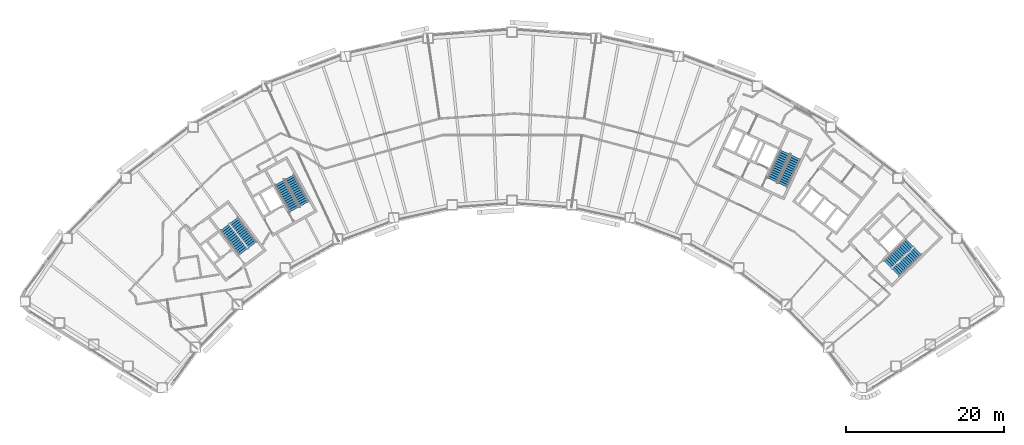
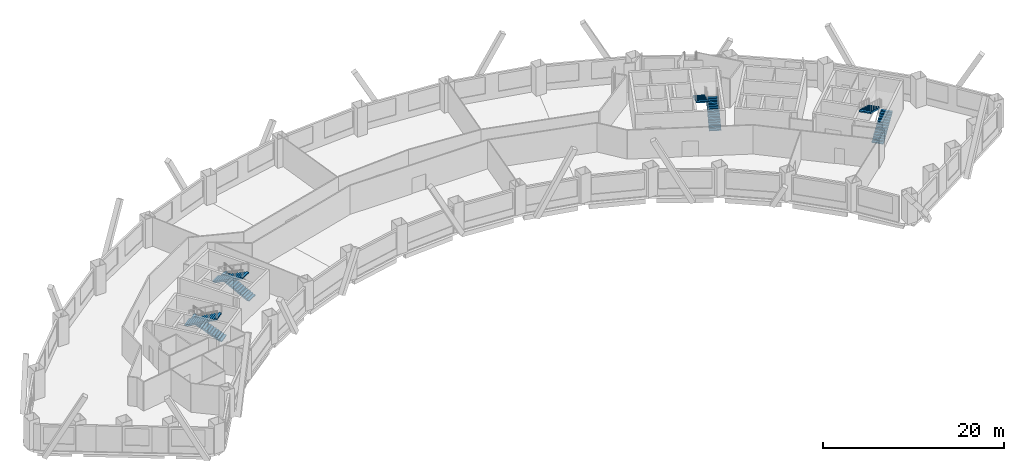
# One storey, part 9 of 11: 8 stair flights, 4 elements without a shape of their own.
"""IFC4 building model written with IfcOpenShell, lengths in metres."""

from ifc_helpers import new_model, si_unit, direction, frame, origin, place, context, subcontext, project, spatial, polyline, outline, extrude, material, type_object, element, aggregate, save


model = new_model("IFC4")

# Units and contexts
model_context = context("Model", 3, precision=1e-05, world=origin(), true_north=direction((0.0, 1.0)))
body_context = subcontext(model_context, "Body", "Model", "MODEL_VIEW")
ifc_project = project(units=[si_unit("LENGTHUNIT", "METRE"), si_unit("AREAUNIT", "SQUARE_METRE"), si_unit("VOLUMEUNIT", "CUBIC_METRE"), si_unit("PLANEANGLEUNIT", "RADIAN"), si_unit("MASSUNIT", "GRAM", prefix="KILO")], contexts=[model_context])

# Site, building, storey
site_placement = place(None, origin())
site = spatial("IfcSite", under=ifc_project, at=site_placement, CompositionType="ELEMENT")
building_placement = place(site_placement, origin())
building = spatial("IfcBuilding", under=site, at=building_placement, Name="Tuul Gate Civic Tower", CompositionType="ELEMENT")
storey_placement = place(building_placement, frame((0.0, 0.0, 48.300048828125)))
storey = spatial("IfcBuildingStorey", under=building, at=storey_placement, Name="Level 10", CompositionType="ELEMENT", Elevation=48.300048828125)

# Stair, stair flights
ifc_material_1 = material(Name="Concrete C40/50", Category="concrete")
stair_type = type_object("IfcStairType", Name="Exit stair", PredefinedType="HALF_TURN_STAIR", material=ifc_material_1)
stair_1_placement = place(storey_placement, origin())
stair_1 = element("IfcStair", 1, at=stair_1_placement, inside=storey, type_object=stair_type, Name="Level 10 ST-1", PredefinedType="HALF_TURN_STAIR")
ifc_material_2 = material(Name="Concrete C40/50", Category="concrete")
stair_flight_type = type_object("IfcStairFlightType", Name="Exit stair flight", PredefinedType="STRAIGHT", material=ifc_material_2)
stair_flight_1_placement = place(storey_placement, frame((-32.875244140625, -13.066650390625, 0.0), z_axis=(0.0, 0.0, 1.0), x_axis=(-0.605764474941, 0.795644016442, 0.0)))
stair_flight_1 = element("IfcStairFlight", 2, at=stair_flight_1_placement, type_object=stair_flight_type, Name="ST-1 flight 1", NumberOfRisers=14, NumberOfTreads=13, PredefinedType="STRAIGHT", RiserHeight=0.15, TreadLength=0.3, context=body_context, shape_type="SweptSolid", body=[
    extrude(outline(polyline([(0.0, 0.0), (0.0, 0.14990234375), (0.300048828125, 0.14990234375), (0.300048828125, 0.300048828125), (0.60009765625, 0.300048828125), (0.60009765625, 0.449951171875), (0.89990234375, 0.449951171875), (0.89990234375, 0.60009765625), (1.199951171875, 0.60009765625), (1.199951171875, 0.75), (1.5, 0.75), (1.5, 0.89990234375), (1.800048828125, 0.89990234375), (1.800048828125, 1.050048828125), (2.10009765625, 1.050048828125), (2.10009765625, 1.199951171875), (2.39990234375, 1.199951171875), (2.39990234375, 1.35009765625), (2.699951171875, 1.35009765625), (2.699951171875, 1.5), (3.0, 1.5), (3.0, 1.64990234375), (3.300048828125, 1.64990234375), (3.300048828125, 1.800048828125), (3.60009765625, 1.800048828125), (3.60009765625, 1.949951171875), (3.89990234375, 1.949951171875), (3.89990234375, 2.10009765625), (3.89990234375, 1.782470703125), (0.335205078125, 0.0), (0.0, 0.0)])), frame((0.0, 0.675048828125, 0.0), z_axis=(0.0, -1.0, 0.0), x_axis=(1.0, 0.0, 0.0)), (0.0, 0.0, 1.0), 1.35009765625),
])
stair_flight_2_placement = place(storey_placement, frame((-36.391357421875, -10.842041015625, 2.099853515625), z_axis=(0.0, 0.0, 1.0), x_axis=(0.605764474941, -0.795644016442, 0.0)))
stair_flight_2 = element("IfcStairFlight", 3, at=stair_flight_2_placement, type_object=stair_flight_type, Name="ST-1 flight 2", NumberOfRisers=14, NumberOfTreads=13, PredefinedType="STRAIGHT", RiserHeight=0.15, TreadLength=0.3, context=body_context, shape_type="SweptSolid", body=[
    extrude(outline(polyline([(0.0, 0.0), (0.0, 0.14990234375), (0.300048828125, 0.14990234375), (0.300048828125, 0.300048828125), (0.60009765625, 0.300048828125), (0.60009765625, 0.449951171875), (0.89990234375, 0.449951171875), (0.89990234375, 0.60009765625), (1.199951171875, 0.60009765625), (1.199951171875, 0.75), (1.5, 0.75), (1.5, 0.89990234375), (1.800048828125, 0.89990234375), (1.800048828125, 1.050048828125), (2.10009765625, 1.050048828125), (2.10009765625, 1.199951171875), (2.39990234375, 1.199951171875), (2.39990234375, 1.35009765625), (2.699951171875, 1.35009765625), (2.699951171875, 1.5), (3.0, 1.5), (3.0, 1.64990234375), (3.300048828125, 1.64990234375), (3.300048828125, 1.800048828125), (3.60009765625, 1.800048828125), (3.60009765625, 1.949951171875), (3.89990234375, 1.949951171875), (3.89990234375, 2.10009765625), (3.89990234375, 1.782470703125), (0.335205078125, 0.0), (0.0, 0.0)])), frame((0.0, 0.675048828125, 0.0), z_axis=(0.0, -1.0, 0.0), x_axis=(1.0, 0.0, 0.0)), (0.0, 0.0, 1.0), 1.35009765625),
])
aggregate(stair_1, [stair_flight_1, stair_flight_2])

stair_2_placement = place(storey_placement, origin())
stair_2 = element("IfcStair", 4, at=stair_2_placement, inside=storey, type_object=stair_type, Name="Level 10 ST-2", PredefinedType="HALF_TURN_STAIR")
stair_flight_3_placement = place(storey_placement, frame((-26.29150390625, -7.87646484375, 0.0), z_axis=(0.0, 0.0, 1.0), x_axis=(-0.484761763766, 0.874646232708, 0.0)))
stair_flight_3 = element("IfcStairFlight", 5, at=stair_flight_3_placement, type_object=stair_flight_type, Name="ST-2 flight 1", NumberOfRisers=14, NumberOfTreads=13, PredefinedType="STRAIGHT", RiserHeight=0.15, TreadLength=0.3, context=body_context, shape_type="SweptSolid", body=[
    extrude(outline(polyline([(0.0, 0.0), (0.0, 0.14990234375), (0.300048828125, 0.14990234375), (0.300048828125, 0.300048828125), (0.60009765625, 0.300048828125), (0.60009765625, 0.449951171875), (0.89990234375, 0.449951171875), (0.89990234375, 0.60009765625), (1.199951171875, 0.60009765625), (1.199951171875, 0.75), (1.5, 0.75), (1.5, 0.89990234375), (1.800048828125, 0.89990234375), (1.800048828125, 1.050048828125), (2.10009765625, 1.050048828125), (2.10009765625, 1.199951171875), (2.39990234375, 1.199951171875), (2.39990234375, 1.35009765625), (2.699951171875, 1.35009765625), (2.699951171875, 1.5), (3.0, 1.5), (3.0, 1.64990234375), (3.300048828125, 1.64990234375), (3.300048828125, 1.800048828125), (3.60009765625, 1.800048828125), (3.60009765625, 1.949951171875), (3.89990234375, 1.949951171875), (3.89990234375, 2.10009765625), (3.89990234375, 1.782470703125), (0.335205078125, 0.0), (0.0, 0.0)])), frame((0.0, 0.675048828125, 0.0), z_axis=(0.0, -1.0, 0.0), x_axis=(1.0, 0.0, 0.0)), (0.0, 0.0, 1.0), 1.35009765625),
])
stair_flight_4_placement = place(storey_placement, frame((-29.450439453125, -5.168212890625, 2.099853515625), z_axis=(0.0, 0.0, 1.0), x_axis=(0.484761763766, -0.874646232708, 0.0)))
stair_flight_4 = element("IfcStairFlight", 6, at=stair_flight_4_placement, type_object=stair_flight_type, Name="ST-2 flight 2", NumberOfRisers=14, NumberOfTreads=13, PredefinedType="STRAIGHT", RiserHeight=0.15, TreadLength=0.3, context=body_context, shape_type="SweptSolid", body=[
    extrude(outline(polyline([(0.0, 0.0), (0.0, 0.14990234375), (0.300048828125, 0.14990234375), (0.300048828125, 0.300048828125), (0.60009765625, 0.300048828125), (0.60009765625, 0.449951171875), (0.89990234375, 0.449951171875), (0.89990234375, 0.60009765625), (1.199951171875, 0.60009765625), (1.199951171875, 0.75), (1.5, 0.75), (1.5, 0.89990234375), (1.800048828125, 0.89990234375), (1.800048828125, 1.050048828125), (2.10009765625, 1.050048828125), (2.10009765625, 1.199951171875), (2.39990234375, 1.199951171875), (2.39990234375, 1.35009765625), (2.699951171875, 1.35009765625), (2.699951171875, 1.5), (3.0, 1.5), (3.0, 1.64990234375), (3.300048828125, 1.64990234375), (3.300048828125, 1.800048828125), (3.60009765625, 1.800048828125), (3.60009765625, 1.949951171875), (3.89990234375, 1.949951171875), (3.89990234375, 2.10009765625), (3.89990234375, 1.782470703125), (0.335205078125, 0.0), (0.0, 0.0)])), frame((0.0, 0.675048828125, 0.0), z_axis=(0.0, -1.0, 0.0), x_axis=(1.0, 0.0, 0.0)), (0.0, 0.0, 1.0), 1.35009765625),
])
aggregate(stair_2, [stair_flight_3, stair_flight_4])

stair_3_placement = place(storey_placement, origin())
stair_3 = element("IfcStair", 7, at=stair_3_placement, inside=storey, type_object=stair_type, Name="Level 10 ST-3", PredefinedType="HALF_TURN_STAIR")
stair_flight_5_placement = place(storey_placement, frame((48.61376953125, -16.581787109375, 0.0), z_axis=(0.0, 0.0, 1.0), x_axis=(0.714127290059, 0.700015866672, 0.0)))
stair_flight_5 = element("IfcStairFlight", 8, at=stair_flight_5_placement, type_object=stair_flight_type, Name="ST-3 flight 1", NumberOfRisers=14, NumberOfTreads=13, PredefinedType="STRAIGHT", RiserHeight=0.15, TreadLength=0.3, context=body_context, shape_type="SweptSolid", body=[
    extrude(outline(polyline([(0.0, 0.0), (0.0, 0.14990234375), (0.300048828125, 0.14990234375), (0.300048828125, 0.300048828125), (0.60009765625, 0.300048828125), (0.60009765625, 0.449951171875), (0.89990234375, 0.449951171875), (0.89990234375, 0.60009765625), (1.199951171875, 0.60009765625), (1.199951171875, 0.75), (1.5, 0.75), (1.5, 0.89990234375), (1.800048828125, 0.89990234375), (1.800048828125, 1.050048828125), (2.10009765625, 1.050048828125), (2.10009765625, 1.199951171875), (2.39990234375, 1.199951171875), (2.39990234375, 1.35009765625), (2.699951171875, 1.35009765625), (2.699951171875, 1.5), (3.0, 1.5), (3.0, 1.64990234375), (3.300048828125, 1.64990234375), (3.300048828125, 1.800048828125), (3.60009765625, 1.800048828125), (3.60009765625, 1.949951171875), (3.89990234375, 1.949951171875), (3.89990234375, 2.10009765625), (3.89990234375, 1.782470703125), (0.335205078125, 0.0), (0.0, 0.0)])), frame((0.0, 0.675048828125, 0.0), z_axis=(0.0, -1.0, 0.0), x_axis=(1.0, 0.0, 0.0)), (0.0, 0.0, 1.0), 1.35009765625),
])
stair_flight_6_placement = place(storey_placement, frame((50.3837890625, -12.816162109375, 2.099853515625), z_axis=(0.0, 0.0, 1.0), x_axis=(-0.714127290059, -0.700015866672, 0.0)))
stair_flight_6 = element("IfcStairFlight", 9, at=stair_flight_6_placement, type_object=stair_flight_type, Name="ST-3 flight 2", NumberOfRisers=14, NumberOfTreads=13, PredefinedType="STRAIGHT", RiserHeight=0.15, TreadLength=0.3, context=body_context, shape_type="SweptSolid", body=[
    extrude(outline(polyline([(0.0, 0.0), (0.0, 0.14990234375), (0.300048828125, 0.14990234375), (0.300048828125, 0.300048828125), (0.60009765625, 0.300048828125), (0.60009765625, 0.449951171875), (0.89990234375, 0.449951171875), (0.89990234375, 0.60009765625), (1.199951171875, 0.60009765625), (1.199951171875, 0.75), (1.5, 0.75), (1.5, 0.89990234375), (1.800048828125, 0.89990234375), (1.800048828125, 1.050048828125), (2.10009765625, 1.050048828125), (2.10009765625, 1.199951171875), (2.39990234375, 1.199951171875), (2.39990234375, 1.35009765625), (2.699951171875, 1.35009765625), (2.699951171875, 1.5), (3.0, 1.5), (3.0, 1.64990234375), (3.300048828125, 1.64990234375), (3.300048828125, 1.800048828125), (3.60009765625, 1.800048828125), (3.60009765625, 1.949951171875), (3.89990234375, 1.949951171875), (3.89990234375, 2.10009765625), (3.89990234375, 1.782470703125), (0.335205078125, 0.0), (0.0, 0.0)])), frame((0.0, 0.675048828125, 0.0), z_axis=(0.0, -1.0, 0.0), x_axis=(1.0, 0.0, 0.0)), (0.0, 0.0, 1.0), 1.35009765625),
])
aggregate(stair_3, [stair_flight_5, stair_flight_6])

stair_4_placement = place(storey_placement, origin())
stair_4 = element("IfcStair", 10, at=stair_4_placement, inside=storey, type_object=stair_type, Name="Level 10 ST-4", PredefinedType="HALF_TURN_STAIR")
stair_flight_7_placement = place(storey_placement, frame((34.278564453125, -5.478515625, 0.0), z_axis=(0.0, 0.0, 1.0), x_axis=(0.422576295988, 0.906327354806, 0.0)))
stair_flight_7 = element("IfcStairFlight", 11, at=stair_flight_7_placement, type_object=stair_flight_type, Name="ST-4 flight 1", NumberOfRisers=14, NumberOfTreads=13, PredefinedType="STRAIGHT", RiserHeight=0.15, TreadLength=0.3, context=body_context, shape_type="SweptSolid", body=[
    extrude(outline(polyline([(0.0, 0.0), (0.0, 0.14990234375), (0.300048828125, 0.14990234375), (0.300048828125, 0.300048828125), (0.60009765625, 0.300048828125), (0.60009765625, 0.449951171875), (0.89990234375, 0.449951171875), (0.89990234375, 0.60009765625), (1.199951171875, 0.60009765625), (1.199951171875, 0.75), (1.5, 0.75), (1.5, 0.89990234375), (1.800048828125, 0.89990234375), (1.800048828125, 1.050048828125), (2.10009765625, 1.050048828125), (2.10009765625, 1.199951171875), (2.39990234375, 1.199951171875), (2.39990234375, 1.35009765625), (2.699951171875, 1.35009765625), (2.699951171875, 1.5), (3.0, 1.5), (3.0, 1.64990234375), (3.300048828125, 1.64990234375), (3.300048828125, 1.800048828125), (3.60009765625, 1.800048828125), (3.60009765625, 1.949951171875), (3.89990234375, 1.949951171875), (3.89990234375, 2.10009765625), (3.89990234375, 1.782470703125), (0.335205078125, 0.0), (0.0, 0.0)])), frame((0.0, 0.675048828125, 0.0), z_axis=(0.0, -1.0, 0.0), x_axis=(1.0, 0.0, 0.0)), (0.0, 0.0, 1.0), 1.35009765625),
])
stair_flight_8_placement = place(storey_placement, frame((34.612548828125, -1.3310546875, 2.099853515625), z_axis=(0.0, 0.0, 1.0), x_axis=(-0.422576295988, -0.906327354806, 0.0)))
stair_flight_8 = element("IfcStairFlight", 12, at=stair_flight_8_placement, type_object=stair_flight_type, Name="ST-4 flight 2", NumberOfRisers=14, NumberOfTreads=13, PredefinedType="STRAIGHT", RiserHeight=0.15, TreadLength=0.3, context=body_context, shape_type="SweptSolid", body=[
    extrude(outline(polyline([(0.0, 0.0), (0.0, 0.14990234375), (0.300048828125, 0.14990234375), (0.300048828125, 0.300048828125), (0.60009765625, 0.300048828125), (0.60009765625, 0.449951171875), (0.89990234375, 0.449951171875), (0.89990234375, 0.60009765625), (1.199951171875, 0.60009765625), (1.199951171875, 0.75), (1.5, 0.75), (1.5, 0.89990234375), (1.800048828125, 0.89990234375), (1.800048828125, 1.050048828125), (2.10009765625, 1.050048828125), (2.10009765625, 1.199951171875), (2.39990234375, 1.199951171875), (2.39990234375, 1.35009765625), (2.699951171875, 1.35009765625), (2.699951171875, 1.5), (3.0, 1.5), (3.0, 1.64990234375), (3.300048828125, 1.64990234375), (3.300048828125, 1.800048828125), (3.60009765625, 1.800048828125), (3.60009765625, 1.949951171875), (3.89990234375, 1.949951171875), (3.89990234375, 2.10009765625), (3.89990234375, 1.782470703125), (0.335205078125, 0.0), (0.0, 0.0)])), frame((0.0, 0.675048828125, 0.0), z_axis=(0.0, -1.0, 0.0), x_axis=(1.0, 0.0, 0.0)), (0.0, 0.0, 1.0), 1.35009765625),
])
aggregate(stair_4, [stair_flight_7, stair_flight_8])

save(model, "model.ifc")
